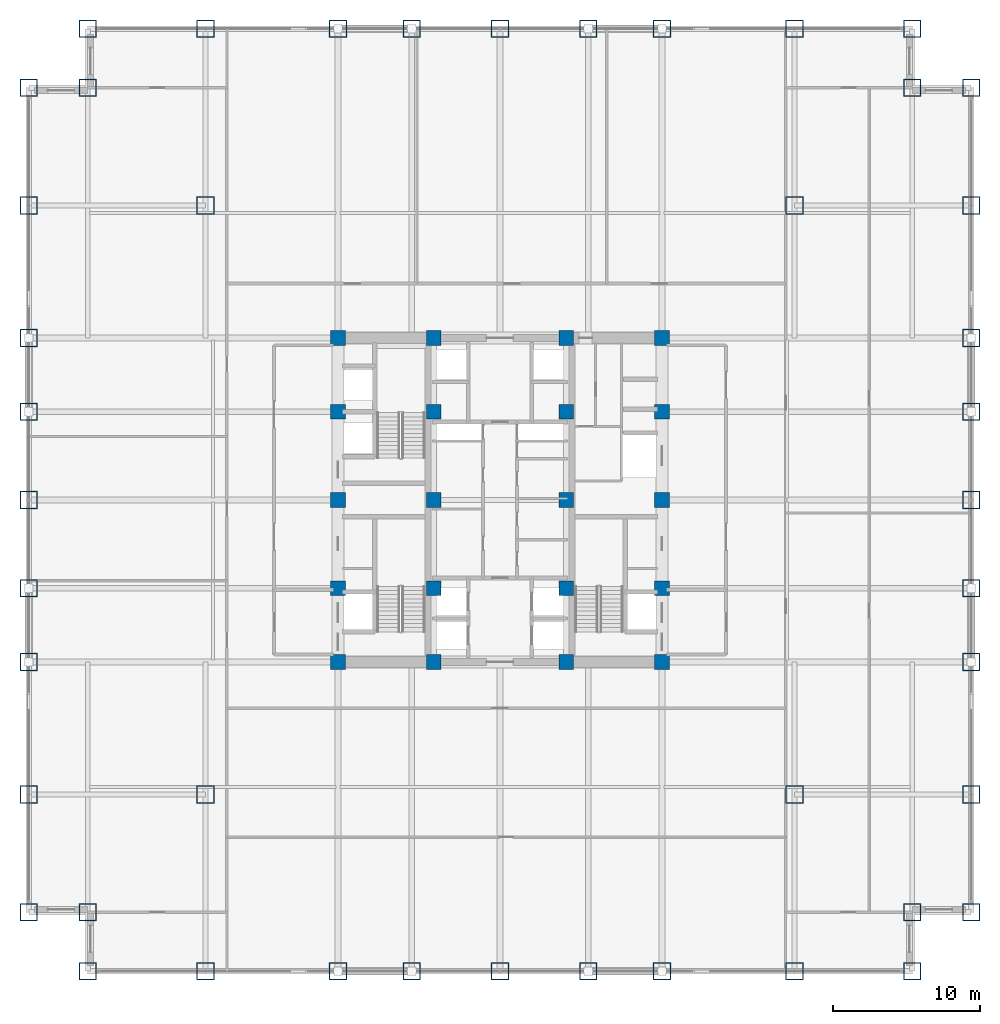
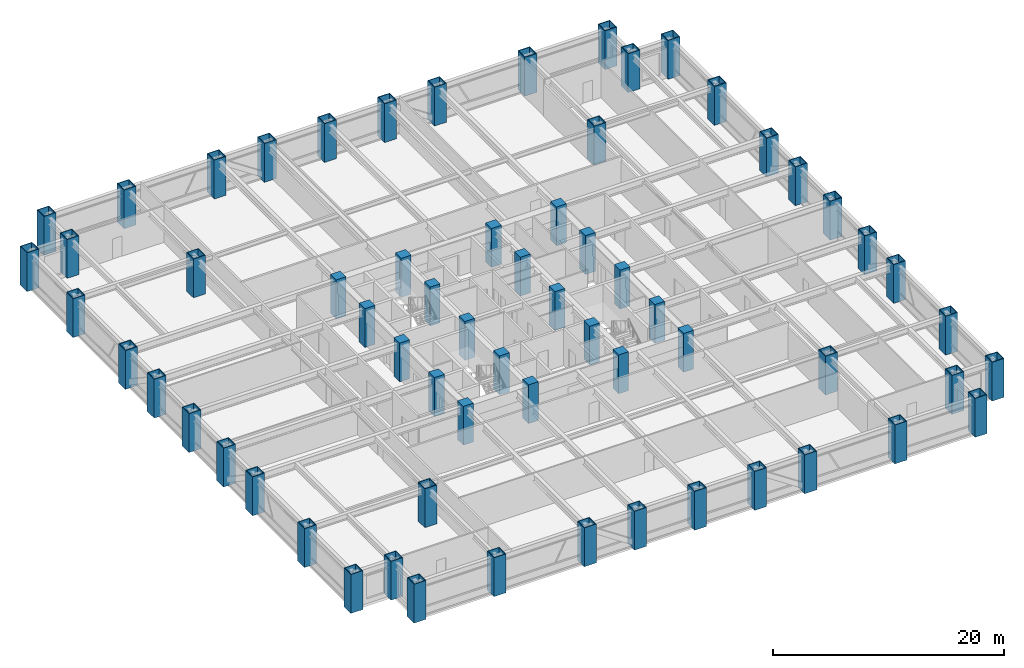
# One storey, part 1 of 28: 64 columns.
"""IFC4 building model written with IfcOpenShell, lengths in metres."""

from ifc_helpers import new_model, si_unit, direction, frame, origin, origin_2d, place, context, subcontext, project, spatial, rectangle, hollow_rectangle, extrude, source, transform, mapped, material, material_profile, profile_set, type_object, element, save


model = new_model("IFC4")

# Units and contexts
model_context = context("Model", 3, precision=1e-05, world=origin(), true_north=direction((0.0, 1.0)))
body_context = subcontext(model_context, "Body", "Model", "MODEL_VIEW")
ifc_project = project(units=[si_unit("LENGTHUNIT", "METRE"), si_unit("AREAUNIT", "SQUARE_METRE"), si_unit("VOLUMEUNIT", "CUBIC_METRE"), si_unit("PLANEANGLEUNIT", "RADIAN"), si_unit("MASSUNIT", "GRAM", prefix="KILO")], contexts=[model_context])

# Site, building, storey
site_placement = place(None, origin())
site = spatial("IfcSite", under=ifc_project, at=site_placement, CompositionType="ELEMENT")
building_placement = place(site_placement, origin())
building = spatial("IfcBuilding", under=site, at=building_placement, Name="Khorayat Bourse Tower", CompositionType="ELEMENT")
storey_placement = place(building_placement, frame((0.0, 0.0, 124.199951171875)))
storey = spatial("IfcBuildingStorey", under=building, at=storey_placement, Name="L28", CompositionType="ELEMENT", Elevation=124.199951171875)

# Columns
ifc_material_1 = material(Name="Steel EN 10025-4 S460M", Category="steel")
ifc_material_profile_1 = material_profile(ifc_material_1, hollow_rectangle(XDim=1.199951171875, YDim=1.199951171875, WallThickness=0.070068359375, at=origin_2d()), Name="BOX 1200x1200x70")
ifc_profile_set_1 = profile_set([ifc_material_profile_1], Name="Steel EN 10025-4 S460M")
column_type_1 = type_object("IfcColumnType", Name="COL-TUBE-1200", PredefinedType="COLUMN", material=ifc_profile_set_1)
shared_shape_1 = source(origin(), body_context, "Body", "SweptSolid", [
    extrude(hollow_rectangle(XDim=1.199951171875, YDim=1.199951171875, WallThickness=0.070068359375, at=origin_2d()), origin(), (0.0, 0.0, 1.0), 4.10009765625),
])
for number, where, z_axis, x_axis, name in (
    (1, (-32.0, -28.0, 0.0), (0.0, 0.0, 1.0), (1.0, 0.0, 0.0), "L28 Column 001"),
    (2, (-32.0, -20.0, 0.0), (0.0, 0.0, 1.0), (1.0, 0.0, 0.0), "L28 Column 002"),
    (3, (-32.0, -11.0, 0.0), (0.0, 0.0, 1.0), (1.0, 0.0, 0.0), "L28 Column 003"),
    (4, (-32.0, -6.0, 0.0), (0.0, 0.0, 1.0), (1.0, 0.0, 0.0), "L28 Column 004"),
    (5, (-32.0, 0.0, 0.0), (0.0, 0.0, 1.0), (1.0, 0.0, 0.0), "L28 Column 005"),
    (6, (-32.0, 6.0, 0.0), (0.0, 0.0, 1.0), (1.0, 0.0, 0.0), "L28 Column 006"),
    (7, (-32.0, 11.0, 0.0), (0.0, 0.0, 1.0), (1.0, 0.0, 0.0), "L28 Column 007"),
    (8, (-32.0, 20.0, 0.0), (0.0, 0.0, 1.0), (1.0, 0.0, 0.0), "L28 Column 008"),
    (9, (-32.0, 28.0, 0.0), (0.0, 0.0, 1.0), (1.0, 0.0, 0.0), "L28 Column 009"),
    (10, (-28.0, -32.0, 0.0), (0.0, 0.0, 1.0), (1.0, 0.0, 0.0), "L28 Column 010"),
    (11, (-28.0, -28.0, 0.0), (0.0, 0.0, 1.0), (1.0, 0.0, 0.0), "L28 Column 011"),
    (12, (-28.0, 28.0, 0.0), (0.0, 0.0, 1.0), (1.0, 0.0, 0.0), "L28 Column 012"),
    (13, (-28.0, 32.0, 0.0), (0.0, 0.0, 1.0), (1.0, 0.0, 0.0), "L28 Column 013"),
    (14, (-20.0, -32.0, 0.0), (0.0, 0.0, 1.0), (1.0, 0.0, 0.0), "L28 Column 014"),
    (15, (-20.0, -20.0, 0.0), (0.0, 0.0, 1.0), (1.0, 0.0, 0.0), "L28 Column 015"),
    (16, (-20.0, 20.0, 0.0), (0.0, 0.0, 1.0), (1.0, 0.0, 0.0), "L28 Column 016"),
    (17, (-20.0, 32.0, 0.0), (0.0, 0.0, 1.0), (1.0, 0.0, 0.0), "L28 Column 017"),
    (18, (-11.0, -32.0, 0.0), (0.0, 0.0, 1.0), (1.0, 0.0, 0.0), "L28 Column 018"),
    (19, (-11.0, 32.0, 0.0), (0.0, 0.0, 1.0), (1.0, 0.0, 0.0), "L28 Column 024"),
    (20, (-6.0, -32.0, 0.0), (0.0, 0.0, 1.0), (1.0, 0.0, 0.0), "L28 Column 025"),
    (21, (-6.0, 32.0, 0.0), (0.0, 0.0, 1.0), (1.0, 0.0, 0.0), "L28 Column 026"),
    (22, (0.0, -32.0, 0.0), (0.0, 0.0, 1.0), (1.0, 0.0, 0.0), "L28 Column 032"),
    (23, (0.0, 32.0, 0.0), (0.0, 0.0, 1.0), (1.0, 0.0, 0.0), "L28 Column 033"),
    (24, (6.0, -32.0, 0.0), (0.0, 0.0, 1.0), (1.0, 0.0, 0.0), "L28 Column 039"),
    (25, (6.0, 32.0, 0.0), (0.0, 0.0, 1.0), (1.0, 0.0, 0.0), "L28 Column 040"),
    (26, (11.0, -32.0, 0.0), (0.0, 0.0, 1.0), (1.0, 0.0, 0.0), "L28 Column 041"),
    (27, (11.0, 32.0, 0.0), (0.0, 0.0, 1.0), (1.0, 0.0, 0.0), "L28 Column 047"),
    (28, (20.0, -32.0, 0.0), (0.0, 0.0, 1.0), (1.0, 0.0, 0.0), "L28 Column 048"),
    (29, (20.0, -20.0, 0.0), (0.0, 0.0, 1.0), (1.0, 0.0, 0.0), "L28 Column 049"),
    (30, (20.0, 20.0, 0.0), (0.0, 0.0, 1.0), (1.0, 0.0, 0.0), "L28 Column 050"),
    (31, (20.0, 32.0, 0.0), (0.0, 0.0, 1.0), (1.0, 0.0, 0.0), "L28 Column 051"),
    (32, (28.0, -32.0, 0.0), (0.0, 0.0, 1.0), (1.0, 0.0, 0.0), "L28 Column 052"),
    (33, (28.0, -28.0, 0.0), (0.0, 0.0, 1.0), (1.0, 0.0, 0.0), "L28 Column 053"),
    (34, (28.0, 28.0, 0.0), (0.0, 0.0, 1.0), (1.0, 0.0, 0.0), "L28 Column 054"),
    (35, (28.0, 32.0, 0.0), (0.0, 0.0, 1.0), (1.0, 0.0, 0.0), "L28 Column 055"),
    (36, (32.0, -28.0, 0.0), (0.0, 0.0, 1.0), (1.0, 0.0, 0.0), "L28 Column 056"),
    (37, (32.0, -20.0, 0.0), (0.0, 0.0, 1.0), (1.0, 0.0, 0.0), "L28 Column 057"),
    (38, (32.0, -11.0, 0.0), (0.0, 0.0, 1.0), (1.0, 0.0, 0.0), "L28 Column 058"),
    (39, (32.0, -6.0, 0.0), (0.0, 0.0, 1.0), (1.0, 0.0, 0.0), "L28 Column 059"),
    (40, (32.0, 0.0, 0.0), (0.0, 0.0, 1.0), (1.0, 0.0, 0.0), "L28 Column 060"),
    (41, (32.0, 6.0, 0.0), (0.0, 0.0, 1.0), (1.0, 0.0, 0.0), "L28 Column 061"),
    (42, (32.0, 11.0, 0.0), (0.0, 0.0, 1.0), (1.0, 0.0, 0.0), "L28 Column 062"),
    (43, (32.0, 20.0, 0.0), (0.0, 0.0, 1.0), (1.0, 0.0, 0.0), "L28 Column 063"),
    (44, (32.0, 28.0, 0.0), (0.0, 0.0, 1.0), (1.0, 0.0, 0.0), "L28 Column 064"),
):
    element("IfcColumn", number, at=place(storey_placement, frame(where, z_axis=z_axis, x_axis=x_axis)), inside=storey, type_object=column_type_1, Name=name, PredefinedType="COLUMN", context=body_context, shape_type="MappedRepresentation", body=[
        mapped(shared_shape_1, transform((0.0, 0.0, 0.0), scale=1.0)),
    ])
ifc_material_2 = material(Name="Concrete C72/90", Category="concrete")
ifc_material_profile_2 = material_profile(ifc_material_2, rectangle(XDim=1.0, YDim=1.0, at=origin_2d()), Name="RC 1000x1000")
ifc_profile_set_2 = profile_set([ifc_material_profile_2], Name="Concrete C72/90")
column_type_2 = type_object("IfcColumnType", Name="COL-CORE-1000", PredefinedType="COLUMN", material=ifc_profile_set_2)
shared_shape_2 = source(origin(), body_context, "Body", "SweptSolid", [
    extrude(rectangle(XDim=1.0, YDim=1.0, at=origin_2d()), origin(), (0.0, 0.0, 1.0), 4.10009765625),
])
for number, where, z_axis, x_axis, name in (
    (45, (-11.0, -11.0, 0.0), (0.0, 0.0, 1.0), (1.0, 0.0, 0.0), "L28 Column 019"),
    (46, (-11.0, -6.0, 0.0), (0.0, 0.0, 1.0), (1.0, 0.0, 0.0), "L28 Column 020"),
    (47, (-11.0, 0.0, 0.0), (0.0, 0.0, 1.0), (1.0, 0.0, 0.0), "L28 Column 021"),
    (48, (-11.0, 6.0, 0.0), (0.0, 0.0, 1.0), (1.0, 0.0, 0.0), "L28 Column 022"),
    (49, (-11.0, 11.0, 0.0), (0.0, 0.0, 1.0), (1.0, 0.0, 0.0), "L28 Column 023"),
    (50, (-4.5, -11.0, 0.0), (0.0, 0.0, 1.0), (1.0, 0.0, 0.0), "L28 Column 027"),
    (51, (-4.5, -6.0, 0.0), (0.0, 0.0, 1.0), (1.0, 0.0, 0.0), "L28 Column 028"),
    (52, (-4.5, 0.0, 0.0), (0.0, 0.0, 1.0), (1.0, 0.0, 0.0), "L28 Column 029"),
    (53, (-4.5, 6.0, 0.0), (0.0, 0.0, 1.0), (1.0, 0.0, 0.0), "L28 Column 030"),
    (54, (-4.5, 11.0, 0.0), (0.0, 0.0, 1.0), (1.0, 0.0, 0.0), "L28 Column 031"),
    (55, (4.5, -11.0, 0.0), (0.0, 0.0, 1.0), (1.0, 0.0, 0.0), "L28 Column 034"),
    (56, (4.5, -6.0, 0.0), (0.0, 0.0, 1.0), (1.0, 0.0, 0.0), "L28 Column 035"),
    (57, (4.5, 0.0, 0.0), (0.0, 0.0, 1.0), (1.0, 0.0, 0.0), "L28 Column 036"),
    (58, (4.5, 6.0, 0.0), (0.0, 0.0, 1.0), (1.0, 0.0, 0.0), "L28 Column 037"),
    (59, (4.5, 11.0, 0.0), (0.0, 0.0, 1.0), (1.0, 0.0, 0.0), "L28 Column 038"),
    (60, (11.0, -11.0, 0.0), (0.0, 0.0, 1.0), (1.0, 0.0, 0.0), "L28 Column 042"),
    (61, (11.0, -6.0, 0.0), (0.0, 0.0, 1.0), (1.0, 0.0, 0.0), "L28 Column 043"),
    (62, (11.0, 0.0, 0.0), (0.0, 0.0, 1.0), (1.0, 0.0, 0.0), "L28 Column 044"),
    (63, (11.0, 6.0, 0.0), (0.0, 0.0, 1.0), (1.0, 0.0, 0.0), "L28 Column 045"),
    (64, (11.0, 11.0, 0.0), (0.0, 0.0, 1.0), (1.0, 0.0, 0.0), "L28 Column 046"),
):
    element("IfcColumn", number, at=place(storey_placement, frame(where, z_axis=z_axis, x_axis=x_axis)), inside=storey, type_object=column_type_2, Name=name, PredefinedType="COLUMN", context=body_context, shape_type="MappedRepresentation", body=[
        mapped(shared_shape_2, transform((0.0, 0.0, 0.0), scale=1.0)),
    ])

save(model, "model.ifc")
